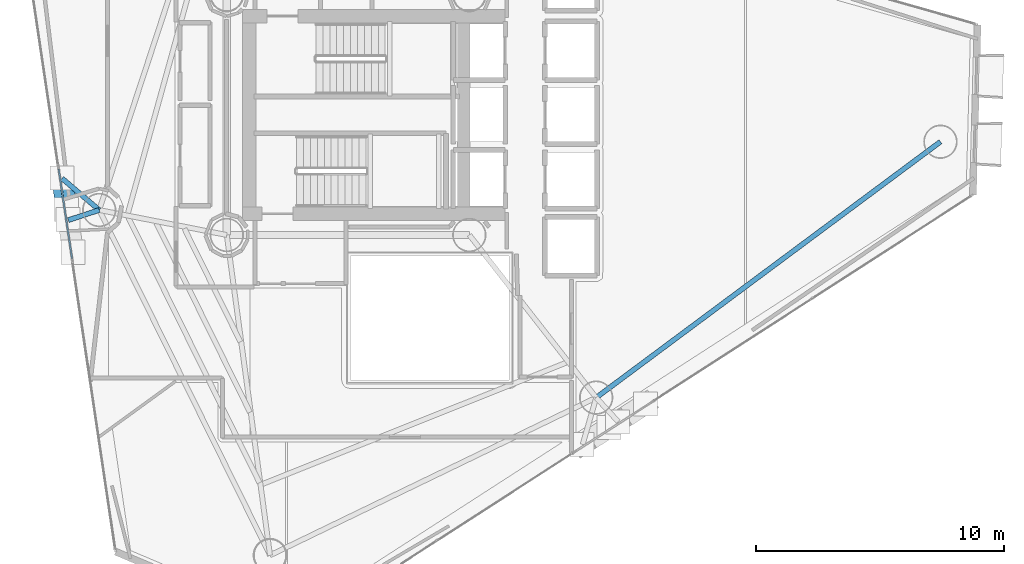
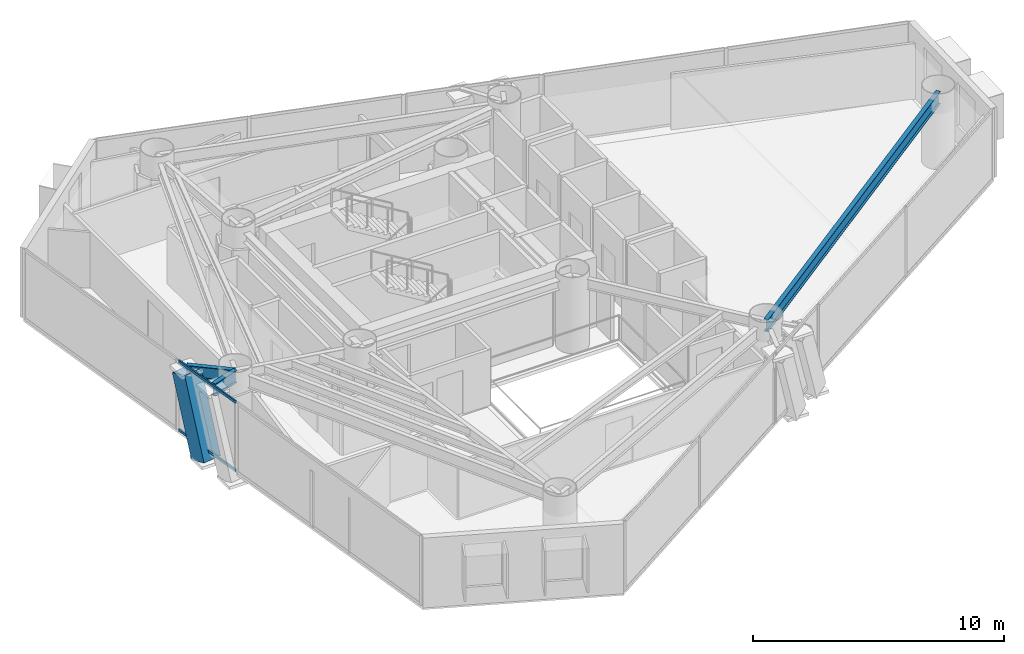
# One storey, part 8 of 22: 3 beams, 3 members, 1 element without a shape of its own.
"""IFC4 building model written with IfcOpenShell, lengths in metres."""

import ifcopenshell
import ifcopenshell.guid

model = None  # the IFC model being written
_history = None  # IfcOwnerHistory: only IFC2X3 demands one
_inside = {}  # id of a spatial element -> (the spatial element, [elements in it])
_under = {}  # id of a project, library or spatial element -> (it, [spatial elements below it])
_declared = {}  # id of a project -> (the project, [libraries it declares])
_typed = {}  # id of a type object -> (the type object, [elements of that type])
_made_of = {}  # id of a material, layer set ... -> (it, [elements and type objects made of it])


def new_model(schema):
    """Start an empty IFC model of exactly this schema.

    Asked for "IFC4X3", IfcOpenShell would pick the latest addendum, in which some entities
    have other attributes; the version numbers below select the first issue.
    IFC2X3 requires an IfcOwnerHistory on every rooted entity: one is made here for all.
    """
    global model, _history
    if schema == "IFC4X3":
        model = ifcopenshell.file(schema_version=(4, 3, 0, 0))
    else:
        model = ifcopenshell.file(schema=schema)
    _inside.clear()
    _under.clear()
    _declared.clear()
    _typed.clear()
    _made_of.clear()
    _history = None
    if model.schema == "IFC2X3":
        org = make("IfcOrganization", Name="unknown")
        user = make(
            "IfcPersonAndOrganization",
            ThePerson=make("IfcPerson", FamilyName="unknown"),
            TheOrganization=org,
        )
        app = make(
            "IfcApplication",
            ApplicationDeveloper=org,
            Version="unknown",
            ApplicationFullName="unknown",
            ApplicationIdentifier="unknown",
        )
        _history = make(
            "IfcOwnerHistory",
            OwningUser=user,
            OwningApplication=app,
            ChangeAction="ADDED",
            CreationDate=0,
        )
    return model


def make(cls, **values):
    """One entity of the class cls with the attributes given. An attribute that is None is left unset."""
    return model.create_entity(
        cls, **{name: value for name, value in values.items() if value is not None}
    )


def rooted(cls, **values):
    """An entity with a GlobalId (a new one), such as an element, a storey or a relation."""
    return make(cls, GlobalId=ifcopenshell.guid.new(), OwnerHistory=_history, **values)


def si_unit(unit_type, name, prefix=None):
    """IfcSIUnit, for example si_unit("LENGTHUNIT", "METRE", prefix="MILLI")."""
    return make("IfcSIUnit", UnitType=unit_type, Prefix=prefix, Name=name)


def assignment(units):
    """IfcUnitAssignment: the units of a project."""
    return None if units is None else make("IfcUnitAssignment", Units=units)


def point(xyz):
    """IfcCartesianPoint."""
    return None if xyz is None else make("IfcCartesianPoint", Coordinates=xyz)


def direction(xyz):
    """IfcDirection."""
    return None if xyz is None else make("IfcDirection", DirectionRatios=xyz)


def frame(location, z_axis=None, x_axis=None):
    """IfcAxis2Placement3D, a coordinate frame: its origin and axes. An axis left out is left unset."""
    return make(
        "IfcAxis2Placement3D",
        Location=point(location),
        Axis=direction(z_axis),
        RefDirection=direction(x_axis),
    )


def frame_2d(location, x_axis=None):
    """IfcAxis2Placement2D, a coordinate frame in the plane: its origin and x axis."""
    return make(
        "IfcAxis2Placement2D", Location=point(location), RefDirection=direction(x_axis)
    )


def origin():
    """The frame at (0, 0, 0) with its axes left unset."""
    return frame((0.0, 0.0, 0.0))


def origin_2d():
    """The frame at (0, 0) in the plane with its x axis left unset."""
    return frame_2d((0.0, 0.0))


def place(relative_to, where):
    """IfcLocalPlacement: puts the frame where relative to a parent placement (None: the world)."""
    return make(
        "IfcLocalPlacement", PlacementRelTo=relative_to, RelativePlacement=where
    )


def context(
    kind, dimensions, precision=None, world=None, true_north=None, identifier=None
):
    """IfcGeometricRepresentationContext, for example the 3D "Model" context."""
    return make(
        "IfcGeometricRepresentationContext",
        ContextIdentifier=identifier,
        ContextType=kind,
        CoordinateSpaceDimension=dimensions,
        Precision=precision,
        WorldCoordinateSystem=world,
        TrueNorth=true_north,
    )


def subcontext(parent, identifier, kind, view, scale=None):
    """IfcGeometricRepresentationSubContext, for example "Body" below "Model"."""
    return make(
        "IfcGeometricRepresentationSubContext",
        ContextIdentifier=identifier,
        ContextType=kind,
        ParentContext=parent,
        TargetScale=scale,
        TargetView=view,
    )


def project(units=None, contexts=None):
    """IfcProject with its units and contexts."""
    return rooted(
        "IfcProject",
        Name="project",
        RepresentationContexts=contexts,
        UnitsInContext=assignment(units),
    )


def spatial(cls, under=None, at=None, **own):
    """A site, building, storey or space (cls), placed at a placement, below another one or the project."""
    s = rooted(cls, ObjectPlacement=at, **own)
    if under is not None:
        _under.setdefault(under.id(), (under, []))[1].append(s)
    return s


def profile(cls, at=None, kind="AREA", **sizes):
    """A parametric profile (cls). Its sizes go by their IFC names, for example OverallWidth=200.0."""
    return make(cls, ProfileType=kind, Position=at, **sizes)


def hollow_rectangle(**sizes):
    """IfcRectangleHollowProfileDef."""
    return profile("IfcRectangleHollowProfileDef", **sizes)


def i_section(**sizes):
    """IfcIShapeProfileDef."""
    return profile("IfcIShapeProfileDef", **sizes)


def extrude(swept, where, along, depth):
    """IfcExtrudedAreaSolid: the profile swept, set in the frame where, extruded along a direction by depth."""
    return make(
        "IfcExtrudedAreaSolid",
        SweptArea=swept,
        Position=where,
        ExtrudedDirection=direction(along),
        Depth=depth,
    )


def shape(context_of_items, identifier, shape_type, items):
    """IfcShapeRepresentation: the items that make up one representation, for example the "Body"."""
    return make(
        "IfcShapeRepresentation",
        ContextOfItems=context_of_items,
        RepresentationIdentifier=identifier,
        RepresentationType=shape_type,
        Items=items,
    )


def material(Name=None, Category=None):
    """IfcMaterial."""
    return make("IfcMaterial", Name=Name, Category=Category)


def layer(
    of_material, thickness, ventilated=None, Name=None, Category=None, Priority=None
):
    """IfcMaterialLayer: one layer of a wall or slab, of a material (None: an air gap)."""
    return make(
        "IfcMaterialLayer",
        Material=of_material,
        LayerThickness=thickness,
        IsVentilated=ventilated,
        Name=Name,
        Category=Category,
        Priority=Priority,
    )


def layer_set(layers, Name=None):
    """IfcMaterialLayerSet."""
    return make("IfcMaterialLayerSet", MaterialLayers=layers, LayerSetName=Name)


def material_profile(
    of_material, cross_section, Name=None, Category=None, Priority=None
):
    """IfcMaterialProfile: a cross section and its material."""
    return make(
        "IfcMaterialProfile",
        Name=Name,
        Material=of_material,
        Profile=cross_section,
        Priority=Priority,
        Category=Category,
    )


def profile_set(profiles, Name=None, composite=None):
    """IfcMaterialProfileSet."""
    return make(
        "IfcMaterialProfileSet",
        Name=Name,
        MaterialProfiles=profiles,
        CompositeProfile=composite,
    )


def made_of(thing, what):
    """Note that an element or type object is made of a material, layer set ...; save() writes the relation."""
    if what is not None:
        _made_of.setdefault(what.id(), (what, []))[1].append(thing)
    return thing


def type_object(cls, material=None, **own):
    """A type object (cls), such as IfcWallType, which elements share."""
    return made_of(rooted(cls, **own), material)


def element(
    cls,
    number,
    at=None,
    inside=None,
    cuts=None,
    type_object=None,
    material=None,
    context=None,
    identifier="Body",
    shape_type=None,
    held_by="IfcProductDefinitionShape",
    body=None,
    shapes=None,
    **own,
):
    """One element of the class cls, such as IfcWall. Its Tag is "e" and its number.

    at: its placement. inside: the storey or other place that contains it. cuts: it is an
    opening in that element (IfcRelVoidsElement). A single representation is given by context,
    identifier, shape_type and body (its items); several are given by shapes. held_by: the class
    of the entity that holds the representations. save() writes the other relations.
    """
    e = rooted(cls, Tag="e%d" % number, ObjectPlacement=at, **own)
    if body is not None:
        shapes = [shape(context, identifier, shape_type, body)]
    if shapes is not None:
        e.Representation = make(held_by, Representations=shapes)
    if inside is not None:
        _inside.setdefault(inside.id(), (inside, []))[1].append(e)
    if cuts is not None:
        rooted(
            "IfcRelVoidsElement", RelatingBuildingElement=cuts, RelatedOpeningElement=e
        )
    if type_object is not None:
        _typed.setdefault(type_object.id(), (type_object, []))[1].append(e)
    return made_of(e, material)


def aggregate(whole, parts):
    """IfcRelAggregates: a whole, such as a stair, and the parts it consists of."""
    return rooted("IfcRelAggregates", RelatingObject=whole, RelatedObjects=parts)


def save(model, path):
    """Write the relations noted so far, then the file.

    IfcRelAggregates (storeys below a building ...), IfcRelContainedInSpatialStructure (elements
    in a storey), IfcRelDefinesByType, IfcRelAssociatesMaterial and IfcRelDeclares: one each for
    every whole, place, type object, material and project.
    """
    for whole, parts in _under.values():
        aggregate(whole, parts)
    for where, things in _inside.values():
        rooted(
            "IfcRelContainedInSpatialStructure",
            RelatedElements=things,
            RelatingStructure=where,
        )
    for kind, things in _typed.values():
        rooted("IfcRelDefinesByType", RelatedObjects=things, RelatingType=kind)
    for what, things in _made_of.values():
        rooted("IfcRelAssociatesMaterial", RelatedObjects=things, RelatingMaterial=what)
    for by, libraries in _declared.values():
        rooted("IfcRelDeclares", RelatingContext=by, RelatedDefinitions=libraries)
    model.write(path)


model = new_model("IFC4")

# Units and contexts
model_context = context("Model", 3, precision=1e-05, world=origin(), true_north=direction((0.0, 1.0)))
body_context = subcontext(model_context, "Body", "Model", "MODEL_VIEW")
ifc_project = project(units=[si_unit("LENGTHUNIT", "METRE"), si_unit("AREAUNIT", "SQUARE_METRE"), si_unit("VOLUMEUNIT", "CUBIC_METRE"), si_unit("PLANEANGLEUNIT", "RADIAN"), si_unit("MASSUNIT", "GRAM", prefix="KILO")], contexts=[model_context])

# Site, building, storey
site_placement = place(None, origin())
site = spatial("IfcSite", under=ifc_project, at=site_placement, CompositionType="ELEMENT")
building_placement = place(site_placement, origin())
building = spatial("IfcBuilding", under=site, at=building_placement, Name="Qianvela Tower", CompositionType="ELEMENT")
storey_placement = place(building_placement, frame((0.0, 0.0, 180.89990234375)))
storey = spatial("IfcBuildingStorey", under=building, at=storey_placement, Name="L46", CompositionType="ELEMENT", Elevation=180.89990234375)

# Beams
ifc_material_1 = material(Name="Steel Q355B", Category="steel")
ifc_material_profile_1 = material_profile(ifc_material_1, i_section(OverallWidth=0.199951171875, OverallDepth=0.60009765625, WebThickness=0.010986328125, FlangeThickness=0.01708984375, at=origin_2d()), Name="HN600x200x11x17")
ifc_profile_set_1 = profile_set([ifc_material_profile_1], Name="Steel Q355B")
beam_type = type_object("IfcBeamType", Name="BM-HN600-GIRD", PredefinedType="BEAM", material=ifc_profile_set_1)
beam_1_placement = place(storey_placement, frame((23.446044921875, 24.85888671875, 3.09814453125), z_axis=(-0.761936259415, 0.64765201813, 0.0), x_axis=(-0.64765201813, -0.761936259415, 0.0)))
element("IfcBeam", 1, at=beam_1_placement, inside=storey, type_object=beam_type, Name="L46 Mega-Brace Column Tie Bracket F2-1", PredefinedType="BEAM", context=body_context, shape_type="SweptSolid", body=[
    extrude(i_section(OverallWidth=0.199951171875, OverallDepth=0.60009765625, WebThickness=0.010986328125, FlangeThickness=0.01708984375, at=origin_2d()), origin(), (0.0, 0.0, 1.0), 1.9697265625),
])
beam_2_placement = place(storey_placement, frame((23.446044921875, 24.85888671875, 3.09814453125), z_axis=(-0.950468956314, -0.310819502417, 0.0), x_axis=(0.310819502417, -0.950468956314, 0.0)))
element("IfcBeam", 2, at=beam_2_placement, inside=storey, type_object=beam_type, Name="L46 Mega-Brace Column Tie Bracket F2-2", PredefinedType="BEAM", context=body_context, shape_type="SweptSolid", body=[
    extrude(i_section(OverallWidth=0.199951171875, OverallDepth=0.60009765625, WebThickness=0.010986328125, FlangeThickness=0.01708984375, at=origin_2d()), origin(), (0.0, 0.0, 1.0), 1.31494140625),
])
beam_3_placement = place(storey_placement, frame((43.52490234375, 17.279052734375, 3.09814453125), z_axis=(0.802568869864, 0.596559476603, 0.0), x_axis=(-0.596559476603, 0.802568869864, 0.0)))
element("IfcBeam", 3, at=beam_3_placement, inside=storey, type_object=beam_type, Name="L46 Perimeter Ring Spandrel Girder 6", PredefinedType="BEAM", context=body_context, shape_type="SweptSolid", body=[
    extrude(i_section(OverallWidth=0.199951171875, OverallDepth=0.60009765625, WebThickness=0.010986328125, FlangeThickness=0.01708984375, at=origin_2d()), origin(), (0.0, 0.0, 1.0), 17.330810546875),
])

# Curtain wall, members
ifc_material_2 = material(Name="Anodised Architectural Aluminium and Insulated Spandrel Panel", Category="aluminium")
ifc_layer = layer(ifc_material_2, 0.179931640625)
ifc_layer_set = layer_set([ifc_layer], Name="Anodised Architectural Aluminium and Insulated Spandrel Panel")
curtain_wall_type = type_object("IfcCurtainWallType", Name="CW-BRACEBAY", PredefinedType="USERDEFINED", material=ifc_layer_set)
curtain_wall_placement = place(storey_placement, origin())
curtain_wall = element("IfcCurtainWall", 4, at=curtain_wall_placement, inside=storey, type_object=curtain_wall_type, Name="L46 CW-BRACEBAY Curtain Wall 04B", ObjectType="CURTAIN_WALL_SYSTEM", PredefinedType="USERDEFINED")
ifc_material_3 = material(Name="Anodised Architectural Aluminium 6063-T6", Category="aluminium")
ifc_material_profile_2 = material_profile(ifc_material_3, hollow_rectangle(XDim=0.06494140625, YDim=0.1298828125, WallThickness=0.00439453125, at=origin_2d()), Name="ALU-TRAN-65x130")
ifc_profile_set_2 = profile_set([ifc_material_profile_2], Name="Anodised Architectural Aluminium 6063-T6")
member_type_1 = type_object("IfcMemberType", Name="CW-BRACEBAY-TRAN", PredefinedType="USERDEFINED", material=ifc_profile_set_2)
member_1_placement = place(storey_placement, frame((21.80712890625, 26.518798828125, 0.03271484375), z_axis=(0.147479297996, -0.98906514278, 0.0), x_axis=(0.98906514278, 0.147479297996, 0.0)))
member_1 = element("IfcMember", 5, at=member_1_placement, type_object=member_type_1, Name="CW-9 transom 1.1", ObjectType="TRANSOM", PredefinedType="USERDEFINED", context=body_context, shape_type="SweptSolid", body=[
    extrude(hollow_rectangle(XDim=0.06494140625, YDim=0.1298828125, WallThickness=0.00439453125, at=origin_2d()), origin(), (0.0, 0.0, 1.0), 3.66015625),
])
member_2_placement = place(storey_placement, frame((21.80712890625, 26.518798828125, 3.36767578125), z_axis=(0.147479297996, -0.98906514278, 0.0), x_axis=(0.98906514278, 0.147479297996, 0.0)))
member_2 = element("IfcMember", 6, at=member_2_placement, type_object=member_type_1, Name="CW-9 transom 1.2", ObjectType="TRANSOM", PredefinedType="USERDEFINED", context=body_context, shape_type="SweptSolid", body=[
    extrude(hollow_rectangle(XDim=0.06494140625, YDim=0.1298828125, WallThickness=0.00439453125, at=origin_2d()), origin(), (0.0, 0.0, 1.0), 3.66015625),
])
aggregate(curtain_wall, [member_1, member_2])

# Member
ifc_material_4 = material(Name="Steel Q420GJC", Category="steel")
ifc_material_profile_3 = material_profile(ifc_material_4, hollow_rectangle(XDim=0.85009765625, YDim=0.85009765625, WallThickness=0.031982421875, at=origin_2d()), Name="MBOX-850x850x32")
ifc_profile_set_3 = profile_set([ifc_material_profile_3], Name="Steel Q420GJC")
member_type_2 = type_object("IfcMemberType", Name="MBR-MBRACE-850", PredefinedType="BRACE", material=ifc_profile_set_3)
member_3_placement = place(storey_placement, frame((22.128173828125, 24.90771484375, -0.48193359375), z_axis=(-0.048262901919, 0.323793167082, 0.944896119819), x_axis=(-0.989073085857, -0.147426018171, 0.0)))
element("IfcMember", 7, at=member_3_placement, inside=storey, type_object=member_type_2, Name="L46 Tier 7 Exterior Mega-Brace F2A", PredefinedType="BRACE", context=body_context, shape_type="SweptSolid", body=[
    extrude(hollow_rectangle(XDim=0.85009765625, YDim=0.85009765625, WallThickness=0.031982421875, at=origin_2d()), origin(), (0.0, 0.0, 1.0), 3.788818359375),
])

save(model, "model.ifc")
